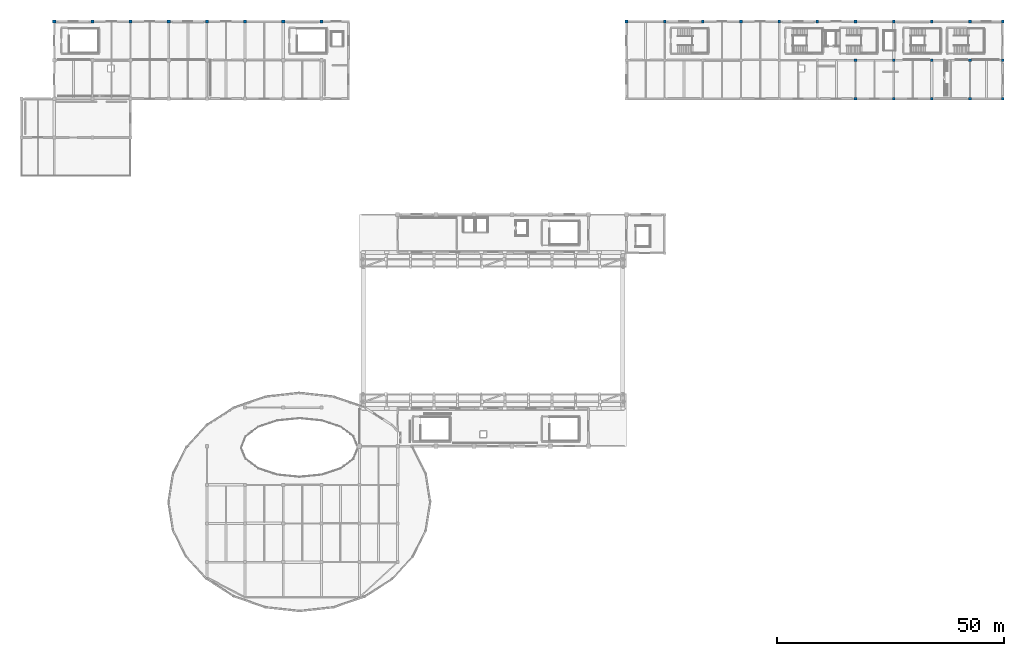
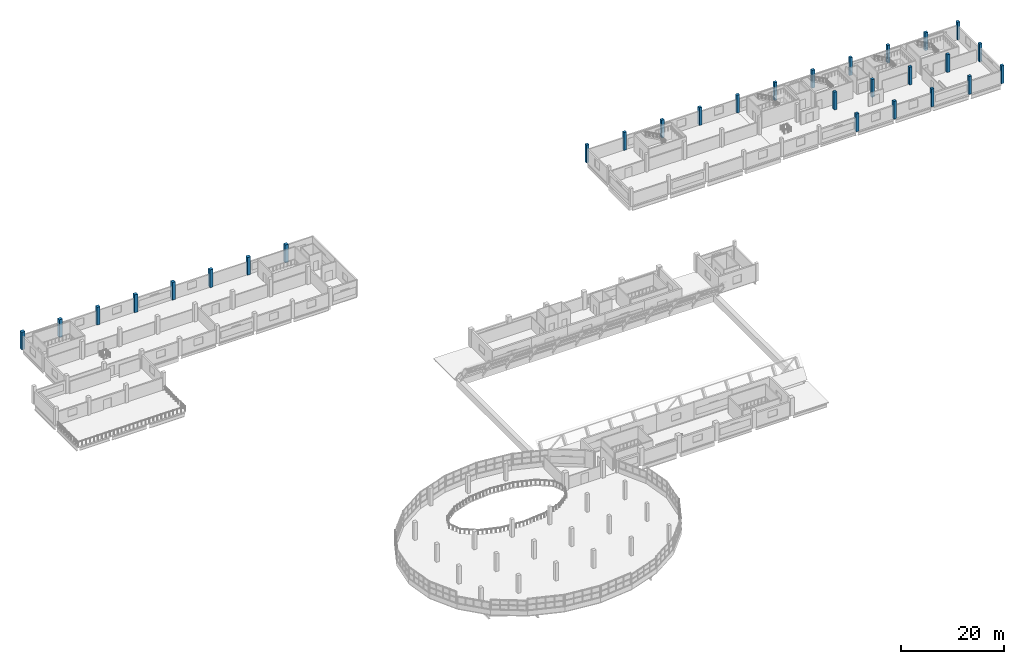
# One storey, part 2 of 52: 29 columns.
"""IFC4 building model written with IfcOpenShell, lengths in metres."""

from ifc_helpers import new_model, si_unit, direction, frame, origin, origin_2d, place, context, subcontext, project, spatial, rectangle, extrude, material, material_profile, profile_set, type_object, element, save


model = new_model("IFC4")

# Units and contexts
model_context = context("Model", 3, precision=1e-05, world=origin(), true_north=direction((0.0, 1.0)))
body_context = subcontext(model_context, "Body", "Model", "MODEL_VIEW")
ifc_project = project(units=[si_unit("LENGTHUNIT", "METRE"), si_unit("AREAUNIT", "SQUARE_METRE"), si_unit("VOLUMEUNIT", "CUBIC_METRE"), si_unit("PLANEANGLEUNIT", "RADIAN"), si_unit("MASSUNIT", "GRAM", prefix="KILO")], contexts=[model_context])

# Site, building, storey
site_placement = place(None, origin())
site = spatial("IfcSite", under=ifc_project, at=site_placement, CompositionType="ELEMENT")
building_placement = place(site_placement, origin())
building = spatial("IfcBuilding", under=site, at=building_placement, Name="Solvento Point Concert Hall", CompositionType="ELEMENT")
storey_placement = place(building_placement, frame((0.0, 0.0, 19.5)))
storey = spatial("IfcBuildingStorey", under=building, at=storey_placement, Name="L04", CompositionType="ELEMENT", Elevation=19.5)

# Columns
ifc_material_1 = material(Name="Concrete C40/50", Category="concrete")
ifc_material_profile_1 = material_profile(ifc_material_1, rectangle(XDim=0.60009765625, YDim=0.60009765625, at=origin_2d()), Name="RC-COL-600X600")
ifc_profile_set_1 = profile_set([ifc_material_profile_1], Name="Concrete C40/50")
column_type_1 = type_object("IfcColumnType", Name="Col_RC_600", PredefinedType="COLUMN", material=ifc_profile_set_1)
for number, where, z_axis, x_axis, name in (
    (1, (133.199951171875, 136.0, 0.0), (0.0, 0.0, 1.0), (1.0, 0.0, 0.0), "Column C-88 17/S L04"),
    (2, (141.60009765625, 136.0, 0.0), (0.0, 0.0, 1.0), (1.0, 0.0, 0.0), "Column C-88 18/S L04"),
    (3, (150.0, 136.0, 0.0), (0.0, 0.0, 1.0), (1.0, 0.0, 0.0), "Column C-88 19/S L04"),
    (4, (158.39990234375, 136.0, 0.0), (0.0, 0.0, 1.0), (1.0, 0.0, 0.0), "Column C-88 20/S L04"),
    (5, (166.800048828125, 136.0, 0.0), (0.0, 0.0, 1.0), (1.0, 0.0, 0.0), "Column C-88 21/S L04"),
    (6, (175.199951171875, 136.0, 0.0), (0.0, 0.0, 1.0), (1.0, 0.0, 0.0), "Column C-88 22/S L04"),
    (7, (183.60009765625, 119.0, 0.0), (0.0, 0.0, 1.0), (1.0, 0.0, 0.0), "Column C-88 23/Q L04"),
    (8, (183.60009765625, 127.5, 0.0), (0.0, 0.0, 1.0), (1.0, 0.0, 0.0), "Column C-88 23/R L04"),
    (9, (183.60009765625, 136.0, 0.0), (0.0, 0.0, 1.0), (1.0, 0.0, 0.0), "Column C-88 23/S L04"),
    (10, (192.0, 119.0, 0.0), (0.0, 0.0, 1.0), (1.0, 0.0, 0.0), "Column C-88 24/Q L04"),
    (11, (192.0, 127.5, 0.0), (0.0, 0.0, 1.0), (1.0, 0.0, 0.0), "Column C-88 24/R L04"),
    (12, (192.0, 136.0, 0.0), (0.0, 0.0, 1.0), (1.0, 0.0, 0.0), "Column C-88 24/S L04"),
    (13, (200.39990234375, 119.0, 0.0), (0.0, 0.0, 1.0), (1.0, 0.0, 0.0), "Column C-88 25/Q L04"),
    (14, (200.39990234375, 127.5, 0.0), (0.0, 0.0, 1.0), (1.0, 0.0, 0.0), "Column C-88 25/R L04"),
    (15, (200.39990234375, 136.0, 0.0), (0.0, 0.0, 1.0), (1.0, 0.0, 0.0), "Column C-88 25/S L04"),
    (16, (208.800048828125, 119.0, 0.0), (0.0, 0.0, 1.0), (1.0, 0.0, 0.0), "Column C-88 26/Q L04"),
    (17, (208.800048828125, 127.5, 0.0), (0.0, 0.0, 1.0), (1.0, 0.0, 0.0), "Column C-88 26/R L04"),
    (18, (208.800048828125, 136.0, 0.0), (0.0, 0.0, 1.0), (1.0, 0.0, 0.0), "Column C-88 26/S L04"),
    (19, (216.0, 119.0, 0.0), (0.0, 0.0, 1.0), (1.0, 0.0, 0.0), "Column C-88 27/Q L04"),
    (20, (216.0, 127.5, 0.0), (0.0, 0.0, 1.0), (1.0, 0.0, 0.0), "Column C-88 27/R L04"),
    (21, (216.0, 136.0, 0.0), (0.0, 0.0, 1.0), (1.0, 0.0, 0.0), "Column C-88 27/S L04"),
):
    element("IfcColumn", number, at=place(storey_placement, frame(where, z_axis=z_axis, x_axis=x_axis)), inside=storey, type_object=column_type_1, Name=name, PredefinedType="COLUMN", context=body_context, shape_type="SweptSolid", body=[
        extrude(rectangle(XDim=0.60009765625, YDim=0.60009765625, at=origin_2d()), origin(), (0.0, 0.0, 1.0), 4.199951171875),
    ])
ifc_material_2 = material(Name="Concrete C40/50", Category="concrete")
ifc_material_profile_2 = material_profile(ifc_material_2, rectangle(XDim=0.699951171875, YDim=0.699951171875, at=origin_2d()), Name="RC-COL-700X700")
ifc_profile_set_2 = profile_set([ifc_material_profile_2], Name="Concrete C40/50")
column_type_2 = type_object("IfcColumnType", Name="Col_RC_700", PredefinedType="COLUMN", material=ifc_profile_set_2)
for number, where, z_axis, x_axis, name in (
    (22, (7.199951171875, 136.0, 0.0), (0.0, 0.0, 1.0), (1.0, 0.0, 0.0), "Column C-73 02/S L04"),
    (23, (15.60009765625, 136.0, 0.0), (0.0, 0.0, 1.0), (1.0, 0.0, 0.0), "Column C-73 03/S L04"),
    (24, (24.0, 136.0, 0.0), (0.0, 0.0, 1.0), (1.0, 0.0, 0.0), "Column C-73 04/S L04"),
    (25, (32.39990234375, 136.0, 0.0), (0.0, 0.0, 1.0), (1.0, 0.0, 0.0), "Column C-73 05/S L04"),
    (26, (40.800048828125, 136.0, 0.0), (0.0, 0.0, 1.0), (1.0, 0.0, 0.0), "Column C-73 06/S L04"),
    (27, (49.199951171875, 136.0, 0.0), (0.0, 0.0, 1.0), (1.0, 0.0, 0.0), "Column C-73 07/S L04"),
    (28, (57.60009765625, 136.0, 0.0), (0.0, 0.0, 1.0), (1.0, 0.0, 0.0), "Column C-73 08/S L04"),
    (29, (66.0, 136.0, 0.0), (0.0, 0.0, 1.0), (1.0, 0.0, 0.0), "Column C-73 09/S L04"),
):
    element("IfcColumn", number, at=place(storey_placement, frame(where, z_axis=z_axis, x_axis=x_axis)), inside=storey, type_object=column_type_2, Name=name, PredefinedType="COLUMN", context=body_context, shape_type="SweptSolid", body=[
        extrude(rectangle(XDim=0.699951171875, YDim=0.699951171875, at=origin_2d()), origin(), (0.0, 0.0, 1.0), 4.199951171875),
    ])

save(model, "model.ifc")
